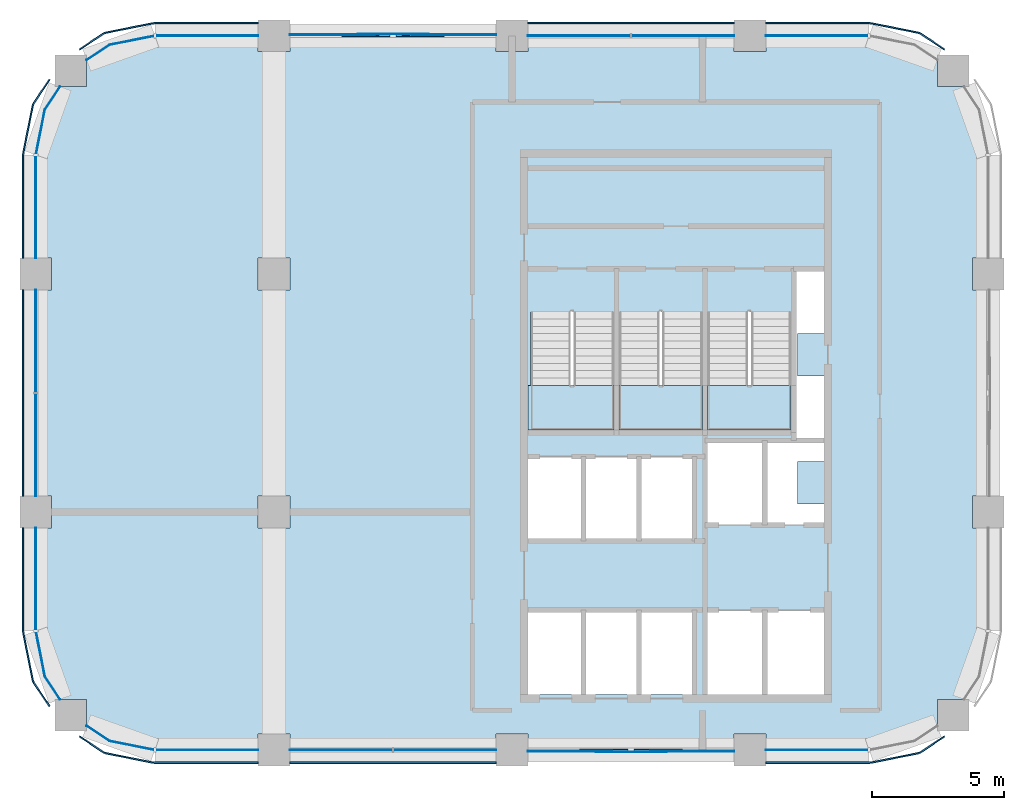
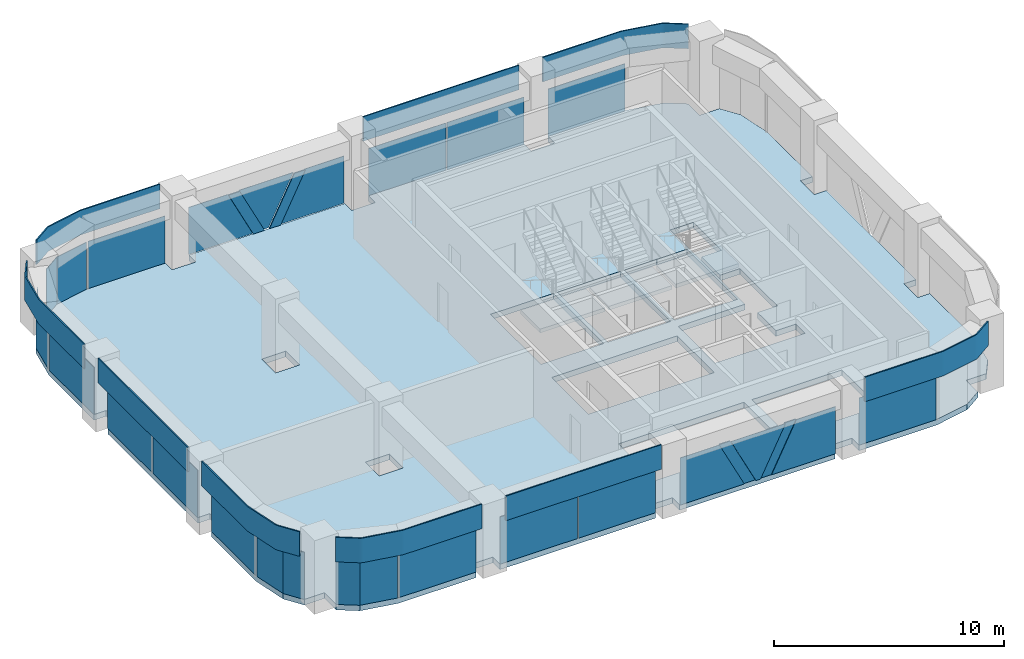
# One storey, part 5 of 9: 35 plates, 4 slabs, 14 elements without a shape of their own.
"""IFC4 building model written with IfcOpenShell, lengths in metres."""

from ifc_helpers import new_model, si_unit, direction, frame, origin, origin_2d, place, context, subcontext, project, spatial, polyline, rectangle, outline, extrude, material, layer, layer_set, type_object, element, aggregate, save


model = new_model("IFC4")

# Units and contexts
model_context = context("Model", 3, precision=1e-05, world=origin(), true_north=direction((0.0, 1.0)))
body_context = subcontext(model_context, "Body", "Model", "MODEL_VIEW")
ifc_project = project(units=[si_unit("LENGTHUNIT", "METRE"), si_unit("AREAUNIT", "SQUARE_METRE"), si_unit("VOLUMEUNIT", "CUBIC_METRE"), si_unit("PLANEANGLEUNIT", "RADIAN"), si_unit("MASSUNIT", "GRAM", prefix="KILO")], contexts=[model_context])

# Site, building, storey
site_placement = place(None, origin())
site = spatial("IfcSite", under=ifc_project, at=site_placement, CompositionType="ELEMENT")
building_placement = place(site_placement, origin())
building = spatial("IfcBuilding", under=site, at=building_placement, Name="Tessera Arch", CompositionType="ELEMENT")
storey_placement = place(building_placement, frame((0.0, 0.0, 309.0)))
storey = spatial("IfcBuildingStorey", under=building, at=storey_placement, Name="L74", CompositionType="ELEMENT", Elevation=309.0)

# Curtain wall, plates
ifc_material_1 = material(Name="CW1 curtain wall")
curtain_wall_type_1 = type_object("IfcCurtainWallType", Name="CW1 curtain wall", PredefinedType="NOTDEFINED", material=ifc_material_1)
curtain_wall_1_placement = place(storey_placement, origin())
curtain_wall_1 = element("IfcCurtainWall", 1, at=curtain_wall_1_placement, inside=storey, type_object=curtain_wall_type_1, Name="CW1 curtain wall N54.18/1 L74", PredefinedType="NOTDEFINED")
ifc_material_2 = material(Name="Clear low-e glass", Category="glass")
ifc_material_3 = material(Name="Clear low-e glass", Category="glass")
ifc_layer_1 = layer(ifc_material_3, 0.028076171875)
ifc_layer_set_1 = layer_set([ifc_layer_1], Name="CW1 glass panel")
plate_type_1 = type_object("IfcPlateType", Name="CW1 glass panel", PredefinedType="CURTAIN_PANEL", material=ifc_layer_set_1)
plate_1_placement = place(storey_placement, frame((42.465087890625, 54.0, 0.0), z_axis=(0.0, 0.0, 1.0), x_axis=(-1.0, 0.0, 0.0)))
plate_1 = element("IfcPlate", 2, at=plate_1_placement, type_object=plate_type_1, material=ifc_material_2, Name="CW1 glass panel N54.18/1 1.1.1", PredefinedType="CURTAIN_PANEL", context=body_context, shape_type="SweptSolid", body=[
    extrude(rectangle(XDim=3.8701171875, YDim=0.028076171875, at=origin_2d()), origin(), (0.0, 0.0, 1.0), 2.5),
])
plate_2_placement = place(storey_placement, frame((38.534912109375, 54.0, 0.0), z_axis=(0.0, 0.0, 1.0), x_axis=(-1.0, 0.0, 0.0)))
plate_2 = element("IfcPlate", 3, at=plate_2_placement, type_object=plate_type_1, material=ifc_material_2, Name="CW1 glass panel N54.18/1 1.2.1", PredefinedType="CURTAIN_PANEL", context=body_context, shape_type="SweptSolid", body=[
    extrude(rectangle(XDim=3.8701171875, YDim=0.028076171875, at=origin_2d()), origin(), (0.0, 0.0, 1.0), 2.5),
])

curtain_wall_2_placement = place(storey_placement, origin())
curtain_wall_2 = element("IfcCurtainWall", 4, at=curtain_wall_2_placement, inside=storey, type_object=curtain_wall_type_1, Name="CW1 curtain wall W18.27/1 L74", PredefinedType="NOTDEFINED")
plate_3_placement = place(storey_placement, frame((18.0, 42.465087890625, 0.0), z_axis=(0.0, 0.0, 1.0), x_axis=(0.0, -1.0, 0.0)))
plate_3 = element("IfcPlate", 5, at=plate_3_placement, type_object=plate_type_1, material=ifc_material_2, Name="CW1 glass panel W18.27/1 1.1.1", PredefinedType="CURTAIN_PANEL", context=body_context, shape_type="SweptSolid", body=[
    extrude(rectangle(XDim=3.8701171875, YDim=0.028076171875, at=origin_2d()), origin(), (0.0, 0.0, 1.0), 2.5),
])
plate_4_placement = place(storey_placement, frame((18.0, 38.534912109375, 0.0), z_axis=(0.0, 0.0, 1.0), x_axis=(0.0, -1.0, 0.0)))
plate_4 = element("IfcPlate", 6, at=plate_4_placement, type_object=plate_type_1, material=ifc_material_2, Name="CW1 glass panel W18.27/1 1.2.1", PredefinedType="CURTAIN_PANEL", context=body_context, shape_type="SweptSolid", body=[
    extrude(rectangle(XDim=3.8701171875, YDim=0.028076171875, at=origin_2d()), origin(), (0.0, 0.0, 1.0), 2.5),
])

curtain_wall_3_placement = place(storey_placement, origin())
curtain_wall_3 = element("IfcCurtainWall", 7, at=curtain_wall_3_placement, inside=storey, type_object=curtain_wall_type_1, Name="CW1 curtain wall S27.18/1 L74", PredefinedType="NOTDEFINED")
plate_5_placement = place(storey_placement, frame((29.534912109375, 27.0, 0.0), z_axis=(0.0, 0.0, 1.0), x_axis=(1.0, 0.0, 0.0)))
plate_5 = element("IfcPlate", 8, at=plate_5_placement, type_object=plate_type_1, material=ifc_material_2, Name="CW1 glass panel S27.18/1 1.1.1", PredefinedType="CURTAIN_PANEL", context=body_context, shape_type="SweptSolid", body=[
    extrude(rectangle(XDim=3.8701171875, YDim=0.028076171875, at=origin_2d()), origin(), (0.0, 0.0, 1.0), 2.5),
])
plate_6_placement = place(storey_placement, frame((33.465087890625, 27.0, 0.0), z_axis=(0.0, 0.0, 1.0), x_axis=(1.0, 0.0, 0.0)))
plate_6 = element("IfcPlate", 9, at=plate_6_placement, type_object=plate_type_1, material=ifc_material_2, Name="CW1 glass panel S27.18/1 1.2.1", PredefinedType="CURTAIN_PANEL", context=body_context, shape_type="SweptSolid", body=[
    extrude(rectangle(XDim=3.8701171875, YDim=0.028076171875, at=origin_2d()), origin(), (0.0, 0.0, 1.0), 2.5),
])

# Plate
ifc_material_4 = material(Name="Pale anodised aluminium panel", Category="aluminium")
ifc_layer_2 = layer(ifc_material_4, 0.06005859375)
ifc_layer_set_2 = layer_set([ifc_layer_2], Name="CW1 spandrel panel")
plate_type_2 = type_object("IfcPlateType", Name="CW1 spandrel panel", PredefinedType="CURTAIN_PANEL", material=ifc_layer_set_2)
plate_7_placement = place(storey_placement, frame((40.5, 54.47998046875, 2.60009765625), z_axis=(0.0, 0.0, 1.0), x_axis=(-1.0, 0.0, 0.0)))
plate_7 = element("IfcPlate", 10, at=plate_7_placement, type_object=plate_type_2, Name="CW1 spandrel panel N54.18/1", PredefinedType="CURTAIN_PANEL", context=body_context, shape_type="SweptSolid", body=[
    extrude(rectangle(XDim=7.800048828125, YDim=0.06005859375, at=origin_2d()), origin(), (0.0, 0.0, 1.0), 1.300048828125),
])

aggregate(curtain_wall_1, [plate_1, plate_2, plate_7])

plate_8_placement = place(storey_placement, frame((17.52001953125, 40.5, 2.60009765625), z_axis=(0.0, 0.0, 1.0), x_axis=(0.0, -1.0, 0.0)))
plate_8 = element("IfcPlate", 11, at=plate_8_placement, type_object=plate_type_2, Name="CW1 spandrel panel W18.27/1", PredefinedType="CURTAIN_PANEL", context=body_context, shape_type="SweptSolid", body=[
    extrude(rectangle(XDim=7.800048828125, YDim=0.06005859375, at=origin_2d()), origin(), (0.0, 0.0, 1.0), 1.300048828125),
])

aggregate(curtain_wall_2, [plate_3, plate_4, plate_8])

plate_9_placement = place(storey_placement, frame((31.5, 26.52001953125, 2.60009765625), z_axis=(0.0, 0.0, 1.0), x_axis=(1.0, 0.0, 0.0)))
plate_9 = element("IfcPlate", 12, at=plate_9_placement, type_object=plate_type_2, Name="CW1 spandrel panel S27.18/1", PredefinedType="CURTAIN_PANEL", context=body_context, shape_type="SweptSolid", body=[
    extrude(rectangle(XDim=7.800048828125, YDim=0.06005859375, at=origin_2d()), origin(), (0.0, 0.0, 1.0), 1.300048828125),
])

aggregate(curtain_wall_3, [plate_5, plate_6, plate_9])

# Curtain wall, plate
ifc_material_5 = material(Name="CW2 curtain wall")
curtain_wall_type_2 = type_object("IfcCurtainWallType", Name="CW2 curtain wall", PredefinedType="NOTDEFINED", material=ifc_material_5)
curtain_wall_4_placement = place(storey_placement, origin())
curtain_wall_4 = element("IfcCurtainWall", 13, at=curtain_wall_4_placement, inside=storey, type_object=curtain_wall_type_2, Name="CW2 curtain wall N54.18/0 L74", PredefinedType="NOTDEFINED")
ifc_material_6 = material(Name="Clear low-e glass", Category="glass")
ifc_layer_3 = layer(ifc_material_6, 0.028076171875)
ifc_layer_set_3 = layer_set([ifc_layer_3], Name="CW2 glass panel")
plate_type_3 = type_object("IfcPlateType", Name="CW2 glass panel", PredefinedType="CURTAIN_PANEL", material=ifc_layer_set_3)
plate_10_placement = place(storey_placement, frame((47.530029296875, 54.0, 0.0), z_axis=(0.0, 0.0, 1.0), x_axis=(-1.0, 0.0, 0.0)))
plate_10 = element("IfcPlate", 14, at=plate_10_placement, type_object=plate_type_3, material=ifc_material_2, Name="CW2 glass panel N54.18/0 1.1", PredefinedType="CURTAIN_PANEL", context=body_context, shape_type="SweptSolid", body=[
    extrude(rectangle(XDim=3.860107421875, YDim=0.028076171875, at=origin_2d()), origin(), (0.0, 0.0, 1.0), 2.5),
])

# Curtain wall, plates
curtain_wall_5_placement = place(storey_placement, origin())
curtain_wall_5 = element("IfcCurtainWall", 15, at=curtain_wall_5_placement, inside=storey, type_object=curtain_wall_type_2, Name="CW2 curtain wall N54.18/3 L74", PredefinedType="NOTDEFINED")
plate_11_placement = place(storey_placement, frame((24.469970703125, 54.0, 0.0), z_axis=(0.0, 0.0, 1.0), x_axis=(-1.0, 0.0, 0.0)))
plate_11 = element("IfcPlate", 16, at=plate_11_placement, type_object=plate_type_3, material=ifc_material_2, Name="CW2 glass panel N54.18/3 1.1", PredefinedType="CURTAIN_PANEL", context=body_context, shape_type="SweptSolid", body=[
    extrude(rectangle(XDim=3.860107421875, YDim=0.028076171875, at=origin_2d()), origin(), (0.0, 0.0, 1.0), 2.5),
])
plate_12_placement = place(storey_placement, origin())
plate_12 = element("IfcPlate", 17, at=plate_12_placement, type_object=plate_type_3, material=ifc_material_2, Name="CW2 curved glass panel N54.18/3 2.1", PredefinedType="CURTAIN_PANEL", context=body_context, shape_type="SweptSolid", body=[
    extrude(outline(polyline([(20.783447265625, 53.644287109375), (22.46337890625, 53.978515625), (22.4580078125, 54.005859375), (20.7724609375, 53.670654296875), (19.91015625, 53.094482421875), (19.92578125, 53.0712890625), (20.783447265625, 53.644287109375)])), origin(), (0.0, 0.0, 1.0), 2.5),
])

curtain_wall_6_placement = place(storey_placement, origin())
curtain_wall_6 = element("IfcCurtainWall", 18, at=curtain_wall_6_placement, inside=storey, type_object=curtain_wall_type_2, Name="CW2 curtain wall W18.27/0 L74", PredefinedType="NOTDEFINED")
plate_13_placement = place(storey_placement, frame((18.0, 47.530029296875, 0.0), z_axis=(0.0, 0.0, 1.0), x_axis=(0.0, -1.0, 0.0)))
plate_13 = element("IfcPlate", 19, at=plate_13_placement, type_object=plate_type_3, material=ifc_material_2, Name="CW2 glass panel W18.27/0 1.1", PredefinedType="CURTAIN_PANEL", context=body_context, shape_type="SweptSolid", body=[
    extrude(rectangle(XDim=3.860107421875, YDim=0.028076171875, at=origin_2d()), origin(), (0.0, 0.0, 1.0), 2.5),
])
plate_14_placement = place(storey_placement, origin())
plate_14 = element("IfcPlate", 20, at=plate_14_placement, type_object=plate_type_3, material=ifc_material_2, Name="CW2 curved glass panel W18.27/0 2.1", PredefinedType="CURTAIN_PANEL", context=body_context, shape_type="SweptSolid", body=[
    extrude(outline(polyline([(18.355712890625, 51.216552734375), (18.9287109375, 52.07421875), (18.905517578125, 52.08984375), (18.329345703125, 51.2275390625), (17.994140625, 49.5419921875), (18.021484375, 49.53662109375), (18.355712890625, 51.216552734375)])), origin(), (0.0, 0.0, 1.0), 2.5),
])

curtain_wall_7_placement = place(storey_placement, origin())
curtain_wall_7 = element("IfcCurtainWall", 21, at=curtain_wall_7_placement, inside=storey, type_object=curtain_wall_type_2, Name="CW2 curtain wall W18.27/2 L74", PredefinedType="NOTDEFINED")
plate_15_placement = place(storey_placement, frame((18.0, 33.469970703125, 0.0), z_axis=(0.0, 0.0, 1.0), x_axis=(0.0, -1.0, 0.0)))
plate_15 = element("IfcPlate", 22, at=plate_15_placement, type_object=plate_type_3, material=ifc_material_2, Name="CW2 glass panel W18.27/2 1.1", PredefinedType="CURTAIN_PANEL", context=body_context, shape_type="SweptSolid", body=[
    extrude(rectangle(XDim=3.860107421875, YDim=0.028076171875, at=origin_2d()), origin(), (0.0, 0.0, 1.0), 2.5),
])
plate_16_placement = place(storey_placement, origin())
plate_16 = element("IfcPlate", 23, at=plate_16_placement, type_object=plate_type_3, material=ifc_material_2, Name="CW2 curved glass panel W18.27/2 2.1", PredefinedType="CURTAIN_PANEL", context=body_context, shape_type="SweptSolid", body=[
    extrude(outline(polyline([(18.355712890625, 29.783447265625), (18.021484375, 31.46337890625), (17.994140625, 31.4580078125), (18.329345703125, 29.7724609375), (18.905517578125, 28.91015625), (18.9287109375, 28.92578125), (18.355712890625, 29.783447265625)])), origin(), (0.0, 0.0, 1.0), 2.5),
])

curtain_wall_8_placement = place(storey_placement, origin())
curtain_wall_8 = element("IfcCurtainWall", 24, at=curtain_wall_8_placement, inside=storey, type_object=curtain_wall_type_2, Name="CW2 curtain wall S27.18/0 L74", PredefinedType="NOTDEFINED")
plate_17_placement = place(storey_placement, frame((24.469970703125, 27.0, 0.0), z_axis=(0.0, 0.0, 1.0), x_axis=(1.0, 0.0, 0.0)))
plate_17 = element("IfcPlate", 25, at=plate_17_placement, type_object=plate_type_3, material=ifc_material_2, Name="CW2 glass panel S27.18/0 1.1", PredefinedType="CURTAIN_PANEL", context=body_context, shape_type="SweptSolid", body=[
    extrude(rectangle(XDim=3.860107421875, YDim=0.028076171875, at=origin_2d()), origin(), (0.0, 0.0, 1.0), 2.5),
])
plate_18_placement = place(storey_placement, origin())
plate_18 = element("IfcPlate", 26, at=plate_18_placement, type_object=plate_type_3, material=ifc_material_2, Name="CW2 curved glass panel S27.18/0 2.1", PredefinedType="CURTAIN_PANEL", context=body_context, shape_type="SweptSolid", body=[
    extrude(outline(polyline([(20.783447265625, 27.355712890625), (19.92578125, 27.9287109375), (19.91015625, 27.905517578125), (20.7724609375, 27.329345703125), (22.4580078125, 26.994140625), (22.46337890625, 27.021484375), (20.783447265625, 27.355712890625)])), origin(), (0.0, 0.0, 1.0), 2.5),
])

# Curtain wall, plate
curtain_wall_9_placement = place(storey_placement, origin())
curtain_wall_9 = element("IfcCurtainWall", 27, at=curtain_wall_9_placement, inside=storey, type_object=curtain_wall_type_2, Name="CW2 curtain wall S27.18/3 L74", PredefinedType="NOTDEFINED")
plate_19_placement = place(storey_placement, frame((47.530029296875, 27.0, 0.0), z_axis=(0.0, 0.0, 1.0), x_axis=(1.0, 0.0, 0.0)))
plate_19 = element("IfcPlate", 28, at=plate_19_placement, type_object=plate_type_3, material=ifc_material_2, Name="CW2 glass panel S27.18/3 1.1", PredefinedType="CURTAIN_PANEL", context=body_context, shape_type="SweptSolid", body=[
    extrude(rectangle(XDim=3.860107421875, YDim=0.028076171875, at=origin_2d()), origin(), (0.0, 0.0, 1.0), 2.5),
])

# Plate
ifc_material_7 = material(Name="Pale anodised aluminium panel", Category="aluminium")
ifc_layer_4 = layer(ifc_material_7, 0.06005859375)
ifc_layer_set_4 = layer_set([ifc_layer_4], Name="CW2 spandrel panel")
plate_type_4 = type_object("IfcPlateType", Name="CW2 spandrel panel", PredefinedType="CURTAIN_PANEL", material=ifc_layer_set_4)
plate_20_placement = place(storey_placement, frame((0.0, 0.0, 2.60009765625)))
plate_20 = element("IfcPlate", 29, at=plate_20_placement, type_object=plate_type_4, Name="CW2 spandrel panel N54.18/0", PredefinedType="CURTAIN_PANEL", context=body_context, shape_type="SweptSolid", body=[
    extrude(outline(polyline([(51.47265625, 54.03125), (52.33203125, 53.45703125), (52.365234375, 53.5068359375), (51.5048828125, 54.08203125), (51.462646484375, 54.107421875), (51.417236328125, 54.128662109375), (51.3701171875, 54.1455078125), (51.322265625, 54.157470703125), (49.598876953125, 54.500244140625), (49.550048828125, 54.507568359375), (49.500732421875, 54.510009765625), (45.60009765625, 54.510009765625), (45.60009765625, 54.449951171875), (49.499267578125, 54.449951171875), (49.544189453125, 54.44775390625), (49.588623046875, 54.441162109375), (51.30908203125, 54.09912109375), (51.352783203125, 54.088134765625), (51.394287109375, 54.0732421875), (51.434326171875, 54.054443359375), (51.47265625, 54.03125)])), origin(), (0.0, 0.0, 1.0), 1.2998046875),
])

aggregate(curtain_wall_4, [plate_10, plate_20])

plate_21_placement = place(storey_placement, frame((0.0, 0.0, 2.60009765625)))
plate_21 = element("IfcPlate", 30, at=plate_21_placement, type_object=plate_type_4, Name="CW2 spandrel panel N54.18/3", PredefinedType="CURTAIN_PANEL", context=body_context, shape_type="SweptSolid", body=[
    extrude(outline(polyline([(22.500732421875, 54.449951171875), (26.39990234375, 54.449951171875), (26.39990234375, 54.510009765625), (22.499267578125, 54.510009765625), (22.449951171875, 54.507568359375), (22.401123046875, 54.500244140625), (20.677734375, 54.157470703125), (20.6298828125, 54.1455078125), (20.582763671875, 54.128662109375), (20.537353515625, 54.107421875), (20.4951171875, 54.08203125), (19.634765625, 53.5068359375), (19.66796875, 53.45703125), (20.52734375, 54.03125), (20.565673828125, 54.054443359375), (20.605712890625, 54.0732421875), (20.647216796875, 54.088134765625), (20.69091796875, 54.09912109375), (22.411376953125, 54.441162109375), (22.455810546875, 54.44775390625), (22.500732421875, 54.449951171875)])), origin(), (0.0, 0.0, 1.0), 1.2998046875),
])

aggregate(curtain_wall_5, [plate_11, plate_12, plate_21])

plate_22_placement = place(storey_placement, frame((0.0, 0.0, 2.60009765625)))
plate_22 = element("IfcPlate", 31, at=plate_22_placement, type_object=plate_type_4, Name="CW2 spandrel panel W18.27/0", PredefinedType="CURTAIN_PANEL", context=body_context, shape_type="SweptSolid", body=[
    extrude(outline(polyline([(17.96875, 51.47265625), (18.54296875, 52.33203125), (18.4931640625, 52.365234375), (17.91796875, 51.5048828125), (17.892578125, 51.462646484375), (17.871337890625, 51.417236328125), (17.8544921875, 51.3701171875), (17.842529296875, 51.322265625), (17.499755859375, 49.598876953125), (17.492431640625, 49.550048828125), (17.489990234375, 49.500732421875), (17.489990234375, 45.60009765625), (17.550048828125, 45.60009765625), (17.550048828125, 49.499267578125), (17.55224609375, 49.544189453125), (17.558837890625, 49.588623046875), (17.90087890625, 51.30908203125), (17.911865234375, 51.352783203125), (17.9267578125, 51.394287109375), (17.945556640625, 51.434326171875), (17.96875, 51.47265625)])), origin(), (0.0, 0.0, 1.0), 1.2998046875),
])

aggregate(curtain_wall_6, [plate_13, plate_14, plate_22])

plate_23_placement = place(storey_placement, frame((0.0, 0.0, 2.60009765625)))
plate_23 = element("IfcPlate", 32, at=plate_23_placement, type_object=plate_type_4, Name="CW2 spandrel panel W18.27/2", PredefinedType="CURTAIN_PANEL", context=body_context, shape_type="SweptSolid", body=[
    extrude(outline(polyline([(17.550048828125, 31.500732421875), (17.550048828125, 35.39990234375), (17.489990234375, 35.39990234375), (17.489990234375, 31.499267578125), (17.492431640625, 31.449951171875), (17.499755859375, 31.401123046875), (17.842529296875, 29.677734375), (17.8544921875, 29.6298828125), (17.871337890625, 29.582763671875), (17.892578125, 29.537353515625), (17.91796875, 29.4951171875), (18.4931640625, 28.634765625), (18.54296875, 28.66796875), (17.96875, 29.52734375), (17.945556640625, 29.565673828125), (17.9267578125, 29.605712890625), (17.911865234375, 29.647216796875), (17.90087890625, 29.69091796875), (17.558837890625, 31.411376953125), (17.55224609375, 31.455810546875), (17.550048828125, 31.500732421875)])), origin(), (0.0, 0.0, 1.0), 1.2998046875),
])

aggregate(curtain_wall_7, [plate_15, plate_16, plate_23])

plate_24_placement = place(storey_placement, frame((0.0, 0.0, 2.60009765625)))
plate_24 = element("IfcPlate", 33, at=plate_24_placement, type_object=plate_type_4, Name="CW2 spandrel panel S27.18/0", PredefinedType="CURTAIN_PANEL", context=body_context, shape_type="SweptSolid", body=[
    extrude(outline(polyline([(20.52734375, 26.96875), (19.66796875, 27.54296875), (19.634765625, 27.4931640625), (20.4951171875, 26.91796875), (20.537353515625, 26.892578125), (20.582763671875, 26.871337890625), (20.6298828125, 26.8544921875), (20.677734375, 26.842529296875), (22.401123046875, 26.499755859375), (22.449951171875, 26.492431640625), (22.499267578125, 26.489990234375), (26.39990234375, 26.489990234375), (26.39990234375, 26.550048828125), (22.500732421875, 26.550048828125), (22.455810546875, 26.55224609375), (22.411376953125, 26.558837890625), (20.69091796875, 26.90087890625), (20.647216796875, 26.911865234375), (20.605712890625, 26.9267578125), (20.565673828125, 26.945556640625), (20.52734375, 26.96875)])), origin(), (0.0, 0.0, 1.0), 1.2998046875),
])

aggregate(curtain_wall_8, [plate_17, plate_18, plate_24])

plate_25_placement = place(storey_placement, frame((0.0, 0.0, 2.60009765625)))
plate_25 = element("IfcPlate", 34, at=plate_25_placement, type_object=plate_type_4, Name="CW2 spandrel panel S27.18/3", PredefinedType="CURTAIN_PANEL", context=body_context, shape_type="SweptSolid", body=[
    extrude(outline(polyline([(49.499267578125, 26.550048828125), (45.60009765625, 26.550048828125), (45.60009765625, 26.489990234375), (49.500732421875, 26.489990234375), (49.550048828125, 26.492431640625), (49.598876953125, 26.499755859375), (51.322265625, 26.842529296875), (51.3701171875, 26.8544921875), (51.417236328125, 26.871337890625), (51.462646484375, 26.892578125), (51.5048828125, 26.91796875), (52.365234375, 27.4931640625), (52.33203125, 27.54296875), (51.47265625, 26.96875), (51.434326171875, 26.945556640625), (51.394287109375, 26.9267578125), (51.352783203125, 26.911865234375), (51.30908203125, 26.90087890625), (49.588623046875, 26.558837890625), (49.544189453125, 26.55224609375), (49.499267578125, 26.550048828125)])), origin(), (0.0, 0.0, 1.0), 1.2998046875),
])

aggregate(curtain_wall_9, [plate_19, plate_25])

# Curtain wall, plates
ifc_material_8 = material(Name="CW3 curtain wall")
curtain_wall_type_3 = type_object("IfcCurtainWallType", Name="CW3 curtain wall", PredefinedType="NOTDEFINED", material=ifc_material_8)
curtain_wall_10_placement = place(storey_placement, origin())
curtain_wall_10 = element("IfcCurtainWall", 35, at=curtain_wall_10_placement, inside=storey, type_object=curtain_wall_type_3, Name="CW3 curtain wall N54.18/2 L74", PredefinedType="NOTDEFINED")
ifc_material_9 = material(Name="Pale anodised aluminium panel", Category="aluminium")
ifc_layer_5 = layer(ifc_material_9, 0.06005859375)
ifc_layer_set_5 = layer_set([ifc_layer_5], Name="CW3 diagonal panel")
plate_type_5 = type_object("IfcPlateType", Name="CW3 diagonal panel", PredefinedType="CURTAIN_PANEL", material=ifc_layer_set_5)
plate_26_placement = place(storey_placement, frame((29.567626953125, 54.030029296875, 2.5), z_axis=(0.0, 1.0, 0.0), x_axis=(1.0, 0.0, 0.0)))
plate_26 = element("IfcPlate", 36, at=plate_26_placement, type_object=plate_type_5, Name="CW3 diagonal panel N54.18/2 1", PredefinedType="CURTAIN_PANEL", context=body_context, shape_type="SweptSolid", body=[
    extrude(outline(polyline([(0.0, 0.0), (0.564697265625, 0.0), (1.814697265625, 2.5), (1.25, 2.5), (0.0, 0.0)])), origin(), (0.0, 0.0, -1.0), 0.06005859375),
])
plate_27_placement = place(storey_placement, frame((32.86767578125, 54.030029296875, 2.5), z_axis=(0.0, 1.0, 0.0), x_axis=(1.0, 0.0, 0.0)))
plate_27 = element("IfcPlate", 37, at=plate_27_placement, type_object=plate_type_5, Name="CW3 diagonal panel N54.18/2 2", PredefinedType="CURTAIN_PANEL", context=body_context, shape_type="SweptSolid", body=[
    extrude(outline(polyline([(0.0, 0.0), (0.564697265625, 0.0), (-0.685302734375, 2.5), (-1.25, 2.5), (0.0, 0.0)])), origin(), (0.0, 0.0, -1.0), 0.06005859375),
])

curtain_wall_11_placement = place(storey_placement, origin())
curtain_wall_11 = element("IfcCurtainWall", 38, at=curtain_wall_11_placement, inside=storey, type_object=curtain_wall_type_3, Name="CW3 curtain wall S27.18/2 L74", PredefinedType="NOTDEFINED")
plate_28_placement = place(storey_placement, frame((42.432373046875, 26.969970703125, 2.5), z_axis=(0.0, -1.0, 0.0), x_axis=(-1.0, 0.0, 0.0)))
plate_28 = element("IfcPlate", 39, at=plate_28_placement, type_object=plate_type_5, Name="CW3 diagonal panel S27.18/2 1", PredefinedType="CURTAIN_PANEL", context=body_context, shape_type="SweptSolid", body=[
    extrude(outline(polyline([(0.0, 0.0), (0.564697265625, 0.0), (1.814697265625, 2.5), (1.25, 2.5), (0.0, 0.0)])), origin(), (0.0, 0.0, -1.0), 0.06005859375),
])
plate_29_placement = place(storey_placement, frame((39.13232421875, 26.969970703125, 2.5), z_axis=(0.0, -1.0, 0.0), x_axis=(-1.0, 0.0, 0.0)))
plate_29 = element("IfcPlate", 40, at=plate_29_placement, type_object=plate_type_5, Name="CW3 diagonal panel S27.18/2 2", PredefinedType="CURTAIN_PANEL", context=body_context, shape_type="SweptSolid", body=[
    extrude(outline(polyline([(0.0, 0.0), (0.564697265625, 0.0), (-0.685302734375, 2.5), (-1.25, 2.5), (0.0, 0.0)])), origin(), (0.0, 0.0, -1.0), 0.06005859375),
])

# Plate
ifc_material_10 = material(Name="Clear low-e glass", Category="glass")
ifc_layer_6 = layer(ifc_material_10, 0.028076171875)
ifc_layer_set_6 = layer_set([ifc_layer_6], Name="CW3 glass panel")
plate_type_6 = type_object("IfcPlateType", Name="CW3 glass panel", PredefinedType="CURTAIN_PANEL", material=ifc_layer_set_6)
plate_30_placement = place(storey_placement, frame((35.39990234375, 54.05810546875, 0.0), z_axis=(0.0, 1.0, 0.0), x_axis=(-1.0, 0.0, 0.0)))
plate_30 = element("IfcPlate", 41, at=plate_30_placement, type_object=plate_type_6, material=ifc_material_2, Name="CW3 triangulated glass panel N54.18/2 1", PredefinedType="CURTAIN_PANEL", context=body_context, shape_type="SweptSolid", body=[
    extrude(outline(polyline([(0.0, 0.0), (3.217529296875, 0.0), (1.967529296875, 2.5), (0.0, 2.5), (0.0, 0.0)])), origin(), (0.0, 0.0, -1.0), 0.028076171875),
])

plate_31_placement = place(storey_placement, frame((30.13232421875, 54.0859375, 2.5), z_axis=(0.0, 1.0, 0.0), x_axis=(1.0, 0.0, 0.0)))
plate_31 = element("IfcPlate", 42, at=plate_31_placement, type_object=plate_type_6, material=ifc_material_2, Name="CW3 triangulated glass panel N54.18/2 2", PredefinedType="CURTAIN_PANEL", context=body_context, shape_type="SweptSolid", body=[
    extrude(outline(polyline([(0.0, 0.0), (2.7353515625, 0.0), (1.4853515625, 2.5), (1.25, 2.5), (0.0, 0.0)])), origin(), (0.0, 0.0, -1.0), 0.028076171875),
])

plate_32_placement = place(storey_placement, frame((27.60009765625, 54.05810546875, 2.5), z_axis=(0.0, 1.0, 0.0), x_axis=(1.0, 0.0, 0.0)))
plate_32 = element("IfcPlate", 43, at=plate_32_placement, type_object=plate_type_6, material=ifc_material_2, Name="CW3 triangulated glass panel N54.18/2 3", PredefinedType="CURTAIN_PANEL", context=body_context, shape_type="SweptSolid", body=[
    extrude(outline(polyline([(0.0, 0.0), (1.967529296875, 0.0), (3.217529296875, 2.5), (0.0, 2.5), (0.0, 0.0)])), origin(), (0.0, 0.0, -1.0), 0.028076171875),
])

aggregate(curtain_wall_10, [plate_30, plate_31, plate_32, plate_26, plate_27])

plate_33_placement = place(storey_placement, frame((36.60009765625, 26.94189453125, 0.0), z_axis=(0.0, -1.0, 0.0), x_axis=(1.0, 0.0, 0.0)))
plate_33 = element("IfcPlate", 44, at=plate_33_placement, type_object=plate_type_6, material=ifc_material_2, Name="CW3 triangulated glass panel S27.18/2 1", PredefinedType="CURTAIN_PANEL", context=body_context, shape_type="SweptSolid", body=[
    extrude(outline(polyline([(0.0, 0.0), (3.217529296875, 0.0), (1.967529296875, 2.5), (0.0, 2.5), (0.0, 0.0)])), origin(), (0.0, 0.0, -1.0), 0.028076171875),
])

plate_34_placement = place(storey_placement, frame((41.86767578125, 26.9140625, 2.5), z_axis=(0.0, -1.0, 0.0), x_axis=(-1.0, 0.0, 0.0)))
plate_34 = element("IfcPlate", 45, at=plate_34_placement, type_object=plate_type_6, material=ifc_material_2, Name="CW3 triangulated glass panel S27.18/2 2", PredefinedType="CURTAIN_PANEL", context=body_context, shape_type="SweptSolid", body=[
    extrude(outline(polyline([(0.0, 0.0), (2.7353515625, 0.0), (1.4853515625, 2.5), (1.25, 2.5), (0.0, 0.0)])), origin(), (0.0, 0.0, -1.0), 0.028076171875),
])

plate_35_placement = place(storey_placement, frame((44.39990234375, 26.94189453125, 2.5), z_axis=(0.0, -1.0, 0.0), x_axis=(-1.0, 0.0, 0.0)))
plate_35 = element("IfcPlate", 46, at=plate_35_placement, type_object=plate_type_6, material=ifc_material_2, Name="CW3 triangulated glass panel S27.18/2 3", PredefinedType="CURTAIN_PANEL", context=body_context, shape_type="SweptSolid", body=[
    extrude(outline(polyline([(0.0, 0.0), (1.967529296875, 0.0), (3.217529296875, 2.5), (0.0, 2.5), (0.0, 0.0)])), origin(), (0.0, 0.0, -1.0), 0.028076171875),
])

aggregate(curtain_wall_11, [plate_33, plate_34, plate_35, plate_28, plate_29])

# Slab
ifc_material_11 = material(Name="Concrete C40/50", Category="concrete")
ifc_layer_7 = layer(ifc_material_11, 0.300048828125)
ifc_layer_set_7 = layer_set([ifc_layer_7], Name="Floor slab 300 Concrete C40/50")
slab_type_1 = type_object("IfcSlabType", Name="Floor slab 300 Concrete C40/50", PredefinedType="FLOOR", material=ifc_layer_set_7)
slab_1_placement = place(storey_placement, frame((0.0, 0.0, -0.300048828125)))
element("IfcSlab", 47, at=slab_1_placement, inside=storey, type_object=slab_type_1, Name="Floor slab L74 1", PredefinedType="FLOOR", context=body_context, shape_type="SweptSolid", body=[
    extrude(outline(polyline([(54.0, 31.5), (53.657470703125, 29.77783203125), (53.0830078125, 28.91796875), (52.08203125, 28.91796875), (52.08203125, 27.9169921875), (51.22216796875, 27.342529296875), (49.5, 27.0), (45.60009765625, 27.0), (45.60009765625, 27.60009765625), (44.39990234375, 27.60009765625), (44.39990234375, 27.0), (36.60009765625, 27.0), (36.60009765625, 27.60009765625), (35.39990234375, 27.60009765625), (35.39990234375, 27.0), (27.60009765625, 27.0), (27.60009765625, 27.60009765625), (26.39990234375, 27.60009765625), (26.39990234375, 27.0), (22.5, 27.0), (20.77783203125, 27.342529296875), (19.91796875, 27.9169921875), (19.91796875, 28.91796875), (18.9169921875, 28.91796875), (18.342529296875, 29.77783203125), (18.0, 31.5), (18.0, 35.39990234375), (18.60009765625, 35.39990234375), (18.60009765625, 36.60009765625), (18.0, 36.60009765625), (18.0, 44.39990234375), (18.60009765625, 44.39990234375), (18.60009765625, 45.60009765625), (18.0, 45.60009765625), (18.0, 49.5), (18.342529296875, 51.22216796875), (18.9169921875, 52.08203125), (19.91796875, 52.08203125), (19.91796875, 53.0830078125), (20.77783203125, 53.657470703125), (22.5, 54.0), (26.39990234375, 54.0), (26.39990234375, 53.39990234375), (27.60009765625, 53.39990234375), (27.60009765625, 54.0), (35.39990234375, 54.0), (35.39990234375, 53.39990234375), (36.60009765625, 53.39990234375), (36.60009765625, 54.0), (44.39990234375, 54.0), (44.39990234375, 53.39990234375), (45.60009765625, 53.39990234375), (45.60009765625, 54.0), (49.5, 54.0), (51.22216796875, 53.657470703125), (52.08203125, 53.0830078125), (52.08203125, 52.08203125), (53.0830078125, 52.08203125), (53.657470703125, 51.22216796875), (54.0, 49.5), (54.0, 45.60009765625), (53.39990234375, 45.60009765625), (53.39990234375, 44.39990234375), (54.0, 44.39990234375), (54.0, 36.60009765625), (53.39990234375, 36.60009765625), (53.39990234375, 35.39990234375), (54.0, 35.39990234375), (54.0, 31.5)]), holes=[polyline([(40.800048828125, 29.10009765625), (42.89990234375, 29.10009765625), (42.89990234375, 32.300048828125), (40.800048828125, 32.300048828125), (38.699951171875, 32.300048828125), (36.60009765625, 32.300048828125), (36.60009765625, 29.10009765625), (38.699951171875, 29.10009765625), (40.800048828125, 29.10009765625)]), polyline([(27.60009765625, 35.39990234375), (27.60009765625, 36.60009765625), (26.39990234375, 36.60009765625), (26.39990234375, 35.39990234375), (27.60009765625, 35.39990234375)]), polyline([(40.800048828125, 34.89990234375), (42.89990234375, 34.89990234375), (42.89990234375, 38.10009765625), (40.800048828125, 38.10009765625), (38.699951171875, 38.10009765625), (36.60009765625, 38.10009765625), (36.60009765625, 34.89990234375), (38.699951171875, 34.89990234375), (40.800048828125, 34.89990234375)]), polyline([(38.219970703125, 43.580078125), (38.219970703125, 43.570068359375), (36.699951171875, 43.570068359375), (36.699951171875, 39.199951171875), (39.85009765625, 39.199951171875), (39.85009765625, 43.570068359375), (38.330078125, 43.570068359375), (38.330078125, 43.580078125), (38.219970703125, 43.580078125)]), polyline([(27.60009765625, 44.39990234375), (27.60009765625, 45.60009765625), (26.39990234375, 45.60009765625), (26.39990234375, 44.39990234375), (27.60009765625, 44.39990234375)]), polyline([(47.800048828125, 32.300048828125), (45.550048828125, 32.300048828125), (43.300048828125, 32.300048828125), (43.300048828125, 29.10009765625), (45.550048828125, 29.10009765625), (47.800048828125, 29.10009765625), (47.800048828125, 32.300048828125)]), polyline([(46.64990234375, 38.699951171875), (45.550048828125, 38.699951171875), (43.300048828125, 38.699951171875), (43.300048828125, 35.5), (45.550048828125, 35.5), (47.800048828125, 35.5), (47.800048828125, 36.300048828125), (46.800048828125, 36.300048828125), (46.800048828125, 37.89990234375), (47.800048828125, 37.89990234375), (47.800048828125, 38.699951171875), (47.800048828125, 41.14990234375), (46.800048828125, 41.14990234375), (46.800048828125, 42.75), (47.800048828125, 42.75), (47.800048828125, 45.199951171875), (46.64990234375, 45.199951171875), (46.64990234375, 38.699951171875)]), polyline([(41.570068359375, 43.580078125), (41.570068359375, 43.570068359375), (40.050048828125, 43.570068359375), (40.050048828125, 39.199951171875), (43.199951171875, 39.199951171875), (43.199951171875, 43.570068359375), (41.679931640625, 43.570068359375), (41.679931640625, 43.580078125), (41.570068359375, 43.580078125)]), polyline([(44.919921875, 43.580078125), (44.919921875, 43.570068359375), (43.39990234375, 43.570068359375), (43.39990234375, 39.199951171875), (46.550048828125, 39.199951171875), (46.550048828125, 43.570068359375), (45.030029296875, 43.570068359375), (45.030029296875, 43.580078125), (44.919921875, 43.580078125)])]), origin(), (0.0, 0.0, 1.0), 0.300048828125),
])

# Stair, slab
ifc_material_12 = material(Name="Concrete C40/50", Category="concrete")
stair_type = type_object("IfcStairType", Name="Dogleg stair 1520", PredefinedType="HALF_TURN_STAIR", material=ifc_material_12)
stair_1_placement = place(storey_placement, origin())
stair_1 = element("IfcStair", 48, at=stair_1_placement, inside=storey, type_object=stair_type, Name="L74 S1a", PredefinedType="HALF_TURN_STAIR")
ifc_material_13 = material(Name="Concrete C40/50", Category="concrete")
ifc_layer_8 = layer(ifc_material_13, 0.300048828125)
ifc_layer_set_8 = layer_set([ifc_layer_8], Name="Stair landing 300")
slab_type_2 = type_object("IfcSlabType", Name="Stair landing 300", PredefinedType="LANDING", material=ifc_layer_set_8)
slab_2_placement = place(storey_placement, frame((0.0, 0.0, 1.75)))
slab_2 = element("IfcSlab", 49, at=slab_2_placement, type_object=slab_type_2, Name="S1a landing 1", PredefinedType="LANDING", context=body_context, shape_type="SweptSolid", body=[
    extrude(outline(polyline([(36.60009765625, 40.780029296875), (36.60009765625, 39.10009765625), (39.85009765625, 39.10009765625), (39.85009765625, 40.780029296875), (36.60009765625, 40.780029296875)])), origin(), (0.0, 0.0, 1.0), 0.199951171875),
])
aggregate(stair_1, [slab_2])

stair_2_placement = place(storey_placement, origin())
stair_2 = element("IfcStair", 50, at=stair_2_placement, inside=storey, type_object=stair_type, Name="L74 S1b", PredefinedType="HALF_TURN_STAIR")
slab_3_placement = place(storey_placement, frame((0.0, 0.0, 1.75)))
slab_3 = element("IfcSlab", 51, at=slab_3_placement, type_object=slab_type_2, Name="S1b landing 1", PredefinedType="LANDING", context=body_context, shape_type="SweptSolid", body=[
    extrude(outline(polyline([(40.050048828125, 40.780029296875), (40.050048828125, 39.10009765625), (43.199951171875, 39.10009765625), (43.199951171875, 40.780029296875), (40.050048828125, 40.780029296875)])), origin(), (0.0, 0.0, 1.0), 0.199951171875),
])
aggregate(stair_2, [slab_3])

stair_3_placement = place(storey_placement, origin())
stair_3 = element("IfcStair", 52, at=stair_3_placement, inside=storey, type_object=stair_type, Name="L74 S1c", PredefinedType="HALF_TURN_STAIR")
slab_4_placement = place(storey_placement, frame((0.0, 0.0, 1.75)))
slab_4 = element("IfcSlab", 53, at=slab_4_placement, type_object=slab_type_2, Name="S1c landing 1", PredefinedType="LANDING", context=body_context, shape_type="SweptSolid", body=[
    extrude(outline(polyline([(43.39990234375, 40.780029296875), (43.39990234375, 39.10009765625), (46.550048828125, 39.10009765625), (46.550048828125, 40.780029296875), (43.39990234375, 40.780029296875)])), origin(), (0.0, 0.0, 1.0), 0.199951171875),
])
aggregate(stair_3, [slab_4])

save(model, "model.ifc")
